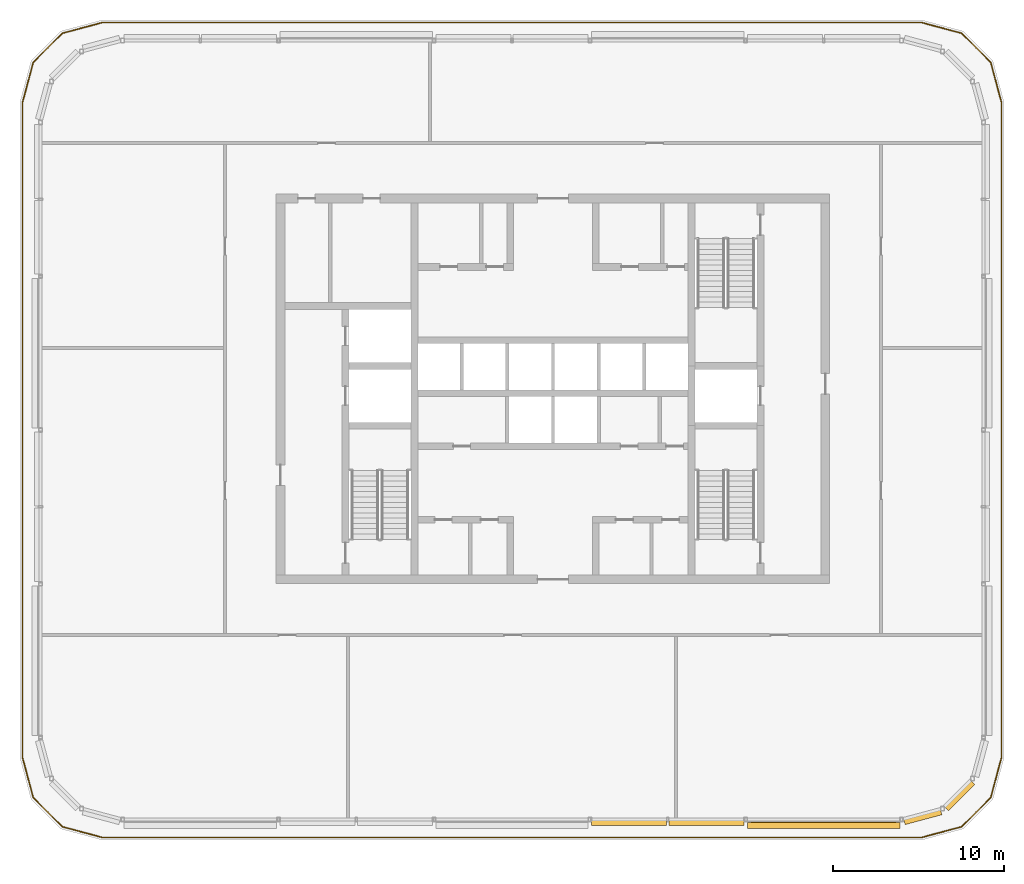
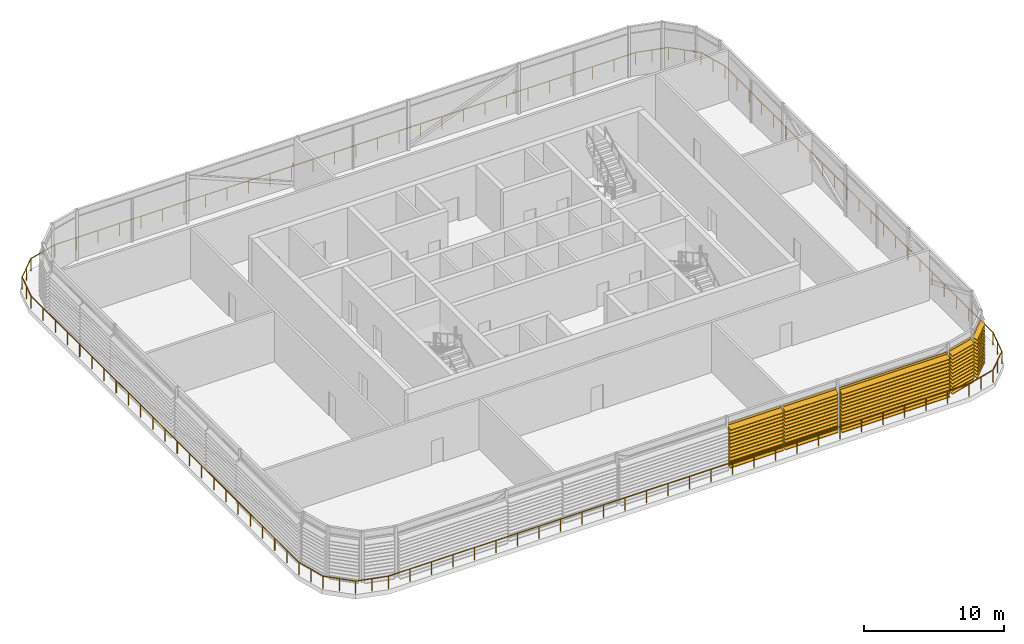
# One storey, part 26 of 29: 5 shading devices, 2 railings.
"""IFC4 building model written with IfcOpenShell, lengths in metres."""

import ifcopenshell
import ifcopenshell.guid

model = None  # the IFC model being written
_history = None  # IfcOwnerHistory: only IFC2X3 demands one
_inside = {}  # id of a spatial element -> (the spatial element, [elements in it])
_under = {}  # id of a project, library or spatial element -> (it, [spatial elements below it])
_declared = {}  # id of a project -> (the project, [libraries it declares])
_typed = {}  # id of a type object -> (the type object, [elements of that type])
_made_of = {}  # id of a material, layer set ... -> (it, [elements and type objects made of it])


def new_model(schema):
    """Start an empty IFC model of exactly this schema.

    Asked for "IFC4X3", IfcOpenShell would pick the latest addendum, in which some entities
    have other attributes; the version numbers below select the first issue.
    IFC2X3 requires an IfcOwnerHistory on every rooted entity: one is made here for all.
    """
    global model, _history
    if schema == "IFC4X3":
        model = ifcopenshell.file(schema_version=(4, 3, 0, 0))
    else:
        model = ifcopenshell.file(schema=schema)
    _inside.clear()
    _under.clear()
    _declared.clear()
    _typed.clear()
    _made_of.clear()
    _history = None
    if model.schema == "IFC2X3":
        org = make("IfcOrganization", Name="unknown")
        user = make(
            "IfcPersonAndOrganization",
            ThePerson=make("IfcPerson", FamilyName="unknown"),
            TheOrganization=org,
        )
        app = make(
            "IfcApplication",
            ApplicationDeveloper=org,
            Version="unknown",
            ApplicationFullName="unknown",
            ApplicationIdentifier="unknown",
        )
        _history = make(
            "IfcOwnerHistory",
            OwningUser=user,
            OwningApplication=app,
            ChangeAction="ADDED",
            CreationDate=0,
        )
    return model


def make(cls, **values):
    """One entity of the class cls with the attributes given. An attribute that is None is left unset."""
    return model.create_entity(
        cls, **{name: value for name, value in values.items() if value is not None}
    )


def rooted(cls, **values):
    """An entity with a GlobalId (a new one), such as an element, a storey or a relation."""
    return make(cls, GlobalId=ifcopenshell.guid.new(), OwnerHistory=_history, **values)


def si_unit(unit_type, name, prefix=None):
    """IfcSIUnit, for example si_unit("LENGTHUNIT", "METRE", prefix="MILLI")."""
    return make("IfcSIUnit", UnitType=unit_type, Prefix=prefix, Name=name)


def assignment(units):
    """IfcUnitAssignment: the units of a project."""
    return None if units is None else make("IfcUnitAssignment", Units=units)


def point(xyz):
    """IfcCartesianPoint."""
    return None if xyz is None else make("IfcCartesianPoint", Coordinates=xyz)


def direction(xyz):
    """IfcDirection."""
    return None if xyz is None else make("IfcDirection", DirectionRatios=xyz)


def frame(location, z_axis=None, x_axis=None):
    """IfcAxis2Placement3D, a coordinate frame: its origin and axes. An axis left out is left unset."""
    return make(
        "IfcAxis2Placement3D",
        Location=point(location),
        Axis=direction(z_axis),
        RefDirection=direction(x_axis),
    )


def frame_2d(location, x_axis=None):
    """IfcAxis2Placement2D, a coordinate frame in the plane: its origin and x axis."""
    return make(
        "IfcAxis2Placement2D", Location=point(location), RefDirection=direction(x_axis)
    )


def origin():
    """The frame at (0, 0, 0) with its axes left unset."""
    return frame((0.0, 0.0, 0.0))


def origin_2d():
    """The frame at (0, 0) in the plane with its x axis left unset."""
    return frame_2d((0.0, 0.0))


def place(relative_to, where):
    """IfcLocalPlacement: puts the frame where relative to a parent placement (None: the world)."""
    return make(
        "IfcLocalPlacement", PlacementRelTo=relative_to, RelativePlacement=where
    )


def context(
    kind, dimensions, precision=None, world=None, true_north=None, identifier=None
):
    """IfcGeometricRepresentationContext, for example the 3D "Model" context."""
    return make(
        "IfcGeometricRepresentationContext",
        ContextIdentifier=identifier,
        ContextType=kind,
        CoordinateSpaceDimension=dimensions,
        Precision=precision,
        WorldCoordinateSystem=world,
        TrueNorth=true_north,
    )


def subcontext(parent, identifier, kind, view, scale=None):
    """IfcGeometricRepresentationSubContext, for example "Body" below "Model"."""
    return make(
        "IfcGeometricRepresentationSubContext",
        ContextIdentifier=identifier,
        ContextType=kind,
        ParentContext=parent,
        TargetScale=scale,
        TargetView=view,
    )


def project(units=None, contexts=None):
    """IfcProject with its units and contexts."""
    return rooted(
        "IfcProject",
        Name="project",
        RepresentationContexts=contexts,
        UnitsInContext=assignment(units),
    )


def spatial(cls, under=None, at=None, **own):
    """A site, building, storey or space (cls), placed at a placement, below another one or the project."""
    s = rooted(cls, ObjectPlacement=at, **own)
    if under is not None:
        _under.setdefault(under.id(), (under, []))[1].append(s)
    return s


def polyline(points):
    """IfcPolyline through the points."""
    return make("IfcPolyline", Points=[point(p) for p in points])


def profile(cls, at=None, kind="AREA", **sizes):
    """A parametric profile (cls). Its sizes go by their IFC names, for example OverallWidth=200.0."""
    return make(cls, ProfileType=kind, Position=at, **sizes)


def circle(**sizes):
    """IfcCircleProfileDef."""
    return profile("IfcCircleProfileDef", **sizes)


def outline(outer, holes=None, kind="AREA"):
    """IfcArbitraryClosedProfileDef: a profile drawn as a closed curve; with holes, ...WithVoids."""
    if holes is None:
        return make("IfcArbitraryClosedProfileDef", ProfileType=kind, OuterCurve=outer)
    return make(
        "IfcArbitraryProfileDefWithVoids",
        ProfileType=kind,
        OuterCurve=outer,
        InnerCurves=holes,
    )


def extrude(swept, where, along, depth):
    """IfcExtrudedAreaSolid: the profile swept, set in the frame where, extruded along a direction by depth."""
    return make(
        "IfcExtrudedAreaSolid",
        SweptArea=swept,
        Position=where,
        ExtrudedDirection=direction(along),
        Depth=depth,
    )


def shape(context_of_items, identifier, shape_type, items):
    """IfcShapeRepresentation: the items that make up one representation, for example the "Body"."""
    return make(
        "IfcShapeRepresentation",
        ContextOfItems=context_of_items,
        RepresentationIdentifier=identifier,
        RepresentationType=shape_type,
        Items=items,
    )


def material(Name=None, Category=None):
    """IfcMaterial."""
    return make("IfcMaterial", Name=Name, Category=Category)


def made_of(thing, what):
    """Note that an element or type object is made of a material, layer set ...; save() writes the relation."""
    if what is not None:
        _made_of.setdefault(what.id(), (what, []))[1].append(thing)
    return thing


def type_object(cls, material=None, **own):
    """A type object (cls), such as IfcWallType, which elements share."""
    return made_of(rooted(cls, **own), material)


def element(
    cls,
    number,
    at=None,
    inside=None,
    cuts=None,
    type_object=None,
    material=None,
    context=None,
    identifier="Body",
    shape_type=None,
    held_by="IfcProductDefinitionShape",
    body=None,
    shapes=None,
    **own,
):
    """One element of the class cls, such as IfcWall. Its Tag is "e" and its number.

    at: its placement. inside: the storey or other place that contains it. cuts: it is an
    opening in that element (IfcRelVoidsElement). A single representation is given by context,
    identifier, shape_type and body (its items); several are given by shapes. held_by: the class
    of the entity that holds the representations. save() writes the other relations.
    """
    e = rooted(cls, Tag="e%d" % number, ObjectPlacement=at, **own)
    if body is not None:
        shapes = [shape(context, identifier, shape_type, body)]
    if shapes is not None:
        e.Representation = make(held_by, Representations=shapes)
    if inside is not None:
        _inside.setdefault(inside.id(), (inside, []))[1].append(e)
    if cuts is not None:
        rooted(
            "IfcRelVoidsElement", RelatingBuildingElement=cuts, RelatedOpeningElement=e
        )
    if type_object is not None:
        _typed.setdefault(type_object.id(), (type_object, []))[1].append(e)
    return made_of(e, material)


def aggregate(whole, parts):
    """IfcRelAggregates: a whole, such as a stair, and the parts it consists of."""
    return rooted("IfcRelAggregates", RelatingObject=whole, RelatedObjects=parts)


def save(model, path):
    """Write the relations noted so far, then the file.

    IfcRelAggregates (storeys below a building ...), IfcRelContainedInSpatialStructure (elements
    in a storey), IfcRelDefinesByType, IfcRelAssociatesMaterial and IfcRelDeclares: one each for
    every whole, place, type object, material and project.
    """
    for whole, parts in _under.values():
        aggregate(whole, parts)
    for where, things in _inside.values():
        rooted(
            "IfcRelContainedInSpatialStructure",
            RelatedElements=things,
            RelatingStructure=where,
        )
    for kind, things in _typed.values():
        rooted("IfcRelDefinesByType", RelatedObjects=things, RelatingType=kind)
    for what, things in _made_of.values():
        rooted("IfcRelAssociatesMaterial", RelatedObjects=things, RelatingMaterial=what)
    for by, libraries in _declared.values():
        rooted("IfcRelDeclares", RelatingContext=by, RelatedDefinitions=libraries)
    model.write(path)


model = new_model("IFC4")

# Units and contexts
model_context = context("Model", 3, precision=1e-05, world=origin(), true_north=direction((0.0, 1.0)))
body_context = subcontext(model_context, "Body", "Model", "MODEL_VIEW")
ifc_project = project(units=[si_unit("LENGTHUNIT", "METRE"), si_unit("AREAUNIT", "SQUARE_METRE"), si_unit("VOLUMEUNIT", "CUBIC_METRE"), si_unit("PLANEANGLEUNIT", "RADIAN"), si_unit("MASSUNIT", "GRAM", prefix="KILO")], contexts=[model_context])

# Site, building, storey
site_placement = place(None, origin())
site = spatial("IfcSite", under=ifc_project, at=site_placement, CompositionType="ELEMENT")
building_placement = place(site_placement, origin())
building = spatial("IfcBuilding", under=site, at=building_placement, Name="Madar Terraces", CompositionType="ELEMENT")
storey_placement = place(building_placement, frame((0.0, 0.0, 296.300048828125)))
storey = spatial("IfcBuildingStorey", under=building, at=storey_placement, Name="L77", CompositionType="ELEMENT", Elevation=296.300048828125)

# Railings
ifc_material_1 = material(Name="Glass, safety glazing, with stainless steel posts", Category="steel")
railing_type = type_object("IfcRailingType", Name="Balcony glass guard 1100", PredefinedType="GUARDRAIL", material=ifc_material_1)
railing_1_placement = place(storey_placement, frame((52.7802734375, 0.14990234375, 0.0)))
element("IfcRailing", 1, at=railing_1_placement, inside=storey, type_object=railing_type, Name="Crown edge guard", PredefinedType="GUARDRAIL", context=body_context, shape_type="SweptSolid", body=[
    extrude(circle(Radius=0.02392578125, at=origin_2d()), frame((0.0, 0.0, 1.076171875), z_axis=(-1.0, 0.0, 0.0), x_axis=(0.0, -1.0, 0.0)), (0.0, 0.0, 1.0), 47.960693359375),
    extrude(circle(Radius=0.02392578125, at=origin_2d()), frame((-47.960693359375, 0.0, 1.076171875), z_axis=(-0.965911642838, 0.258871972661, 0.0), x_axis=(-0.258871972661, -0.965911642838, 0.0)), (0.0, 0.0, 1.0), 2.4248046875),
    extrude(circle(Radius=0.02392578125, at=origin_2d()), frame((-50.302734375, 0.627685546875, 1.076171875), z_axis=(-0.707106781187, 0.707106781187, 0.0), x_axis=(-0.707106781187, -0.707106781187, 0.0)), (0.0, 0.0, 1.0), 2.404052734375),
    extrude(circle(Radius=0.02392578125, at=origin_2d()), frame((-52.002685546875, 2.32763671875, 1.076171875), z_axis=(-0.258871972661, 0.965911642838, 0.0), x_axis=(-0.965911642838, -0.258871972661, 0.0)), (0.0, 0.0, 1.0), 2.4248046875),
    extrude(circle(Radius=0.02392578125, at=origin_2d()), frame((-52.63037109375, 4.669677734375, 1.076171875), z_axis=(0.0, 1.0, 0.0), x_axis=(-1.0, 0.0, 0.0)), (0.0, 0.0, 1.0), 38.36083984375),
    extrude(circle(Radius=0.02392578125, at=origin_2d()), frame((-52.63037109375, 43.030517578125, 1.076171875), z_axis=(0.258871972661, 0.965911642838, 0.0), x_axis=(-0.965911642838, 0.258871972661, 0.0)), (0.0, 0.0, 1.0), 2.4248046875),
    extrude(circle(Radius=0.02392578125, at=origin_2d()), frame((-52.002685546875, 45.37255859375, 1.076171875), z_axis=(0.707106781187, 0.707106781187, 0.0), x_axis=(-0.707106781187, 0.707106781187, 0.0)), (0.0, 0.0, 1.0), 2.404052734375),
    extrude(circle(Radius=0.02392578125, at=origin_2d()), frame((-50.302734375, 47.072509765625, 1.076171875), z_axis=(0.965911642838, 0.258871972661, 0.0), x_axis=(-0.258871972661, 0.965911642838, 0.0)), (0.0, 0.0, 1.0), 2.4248046875),
    extrude(circle(Radius=0.02099609375, at=origin_2d()), origin(), (0.0, 0.0, 1.0), 1.052001953125),
    extrude(circle(Radius=0.02099609375, at=origin_2d()), frame((-1.7763671875, 0.0, 0.0)), (0.0, 0.0, 1.0), 1.052001953125),
    extrude(circle(Radius=0.02099609375, at=origin_2d()), frame((-3.552734375, 0.0, 0.0)), (0.0, 0.0, 1.0), 1.052001953125),
    extrude(circle(Radius=0.02099609375, at=origin_2d()), frame((-5.328857421875, 0.0, 0.0)), (0.0, 0.0, 1.0), 1.052001953125),
    extrude(circle(Radius=0.02099609375, at=origin_2d()), frame((-7.105224609375, 0.0, 0.0)), (0.0, 0.0, 1.0), 1.052001953125),
    extrude(circle(Radius=0.02099609375, at=origin_2d()), frame((-8.881591796875, 0.0, 0.0)), (0.0, 0.0, 1.0), 1.052001953125),
    extrude(circle(Radius=0.02099609375, at=origin_2d()), frame((-10.657958984375, 0.0, 0.0)), (0.0, 0.0, 1.0), 1.052001953125),
    extrude(circle(Radius=0.02099609375, at=origin_2d()), frame((-12.434326171875, 0.0, 0.0)), (0.0, 0.0, 1.0), 1.052001953125),
    extrude(circle(Radius=0.02099609375, at=origin_2d()), frame((-14.210693359375, 0.0, 0.0)), (0.0, 0.0, 1.0), 1.052001953125),
    extrude(circle(Radius=0.02099609375, at=origin_2d()), frame((-15.98681640625, 0.0, 0.0)), (0.0, 0.0, 1.0), 1.052001953125),
    extrude(circle(Radius=0.02099609375, at=origin_2d()), frame((-17.76318359375, 0.0, 0.0)), (0.0, 0.0, 1.0), 1.052001953125),
    extrude(circle(Radius=0.02099609375, at=origin_2d()), frame((-19.53955078125, 0.0, 0.0)), (0.0, 0.0, 1.0), 1.052001953125),
    extrude(circle(Radius=0.02099609375, at=origin_2d()), frame((-21.31591796875, 0.0, 0.0)), (0.0, 0.0, 1.0), 1.052001953125),
    extrude(circle(Radius=0.02099609375, at=origin_2d()), frame((-23.09228515625, 0.0, 0.0)), (0.0, 0.0, 1.0), 1.052001953125),
    extrude(circle(Radius=0.02099609375, at=origin_2d()), frame((-24.868408203125, 0.0, 0.0)), (0.0, 0.0, 1.0), 1.052001953125),
    extrude(circle(Radius=0.02099609375, at=origin_2d()), frame((-26.644775390625, 0.0, 0.0)), (0.0, 0.0, 1.0), 1.052001953125),
    extrude(circle(Radius=0.02099609375, at=origin_2d()), frame((-28.421142578125, 0.0, 0.0)), (0.0, 0.0, 1.0), 1.052001953125),
    extrude(circle(Radius=0.02099609375, at=origin_2d()), frame((-30.197509765625, 0.0, 0.0)), (0.0, 0.0, 1.0), 1.052001953125),
    extrude(circle(Radius=0.02099609375, at=origin_2d()), frame((-31.973876953125, 0.0, 0.0)), (0.0, 0.0, 1.0), 1.052001953125),
    extrude(circle(Radius=0.02099609375, at=origin_2d()), frame((-33.75, 0.0, 0.0)), (0.0, 0.0, 1.0), 1.052001953125),
    extrude(circle(Radius=0.02099609375, at=origin_2d()), frame((-35.5263671875, 0.0, 0.0)), (0.0, 0.0, 1.0), 1.052001953125),
    extrude(circle(Radius=0.02099609375, at=origin_2d()), frame((-37.302734375, 0.0, 0.0)), (0.0, 0.0, 1.0), 1.052001953125),
    extrude(circle(Radius=0.02099609375, at=origin_2d()), frame((-39.0791015625, 0.0, 0.0)), (0.0, 0.0, 1.0), 1.052001953125),
    extrude(circle(Radius=0.02099609375, at=origin_2d()), frame((-40.85546875, 0.0, 0.0)), (0.0, 0.0, 1.0), 1.052001953125),
    extrude(circle(Radius=0.02099609375, at=origin_2d()), frame((-42.6318359375, 0.0, 0.0)), (0.0, 0.0, 1.0), 1.052001953125),
    extrude(circle(Radius=0.02099609375, at=origin_2d()), frame((-44.407958984375, 0.0, 0.0)), (0.0, 0.0, 1.0), 1.052001953125),
    extrude(circle(Radius=0.02099609375, at=origin_2d()), frame((-46.184326171875, 0.0, 0.0)), (0.0, 0.0, 1.0), 1.052001953125),
    extrude(circle(Radius=0.02099609375, at=origin_2d()), frame((-47.960693359375, 0.0, 0.0)), (0.0, 0.0, 1.0), 1.052001953125),
    extrude(circle(Radius=0.02099609375, at=origin_2d()), frame((-49.1318359375, 0.31396484375, 0.0)), (0.0, 0.0, 1.0), 1.052001953125),
    extrude(circle(Radius=0.02099609375, at=origin_2d()), frame((-50.302734375, 0.627685546875, 0.0)), (0.0, 0.0, 1.0), 1.052001953125),
    extrude(circle(Radius=0.02099609375, at=origin_2d()), frame((-51.15283203125, 1.4775390625, 0.0)), (0.0, 0.0, 1.0), 1.052001953125),
    extrude(circle(Radius=0.02099609375, at=origin_2d()), frame((-52.002685546875, 2.32763671875, 0.0)), (0.0, 0.0, 1.0), 1.052001953125),
    extrude(circle(Radius=0.02099609375, at=origin_2d()), frame((-52.31640625, 3.49853515625, 0.0)), (0.0, 0.0, 1.0), 1.052001953125),
    extrude(circle(Radius=0.02099609375, at=origin_2d()), frame((-52.63037109375, 4.669677734375, 0.0)), (0.0, 0.0, 1.0), 1.052001953125),
    extrude(circle(Radius=0.02099609375, at=origin_2d()), frame((-52.63037109375, 6.413330078125, 0.0)), (0.0, 0.0, 1.0), 1.052001953125),
    extrude(circle(Radius=0.02099609375, at=origin_2d()), frame((-52.63037109375, 8.156982421875, 0.0)), (0.0, 0.0, 1.0), 1.052001953125),
    extrude(circle(Radius=0.02099609375, at=origin_2d()), frame((-52.63037109375, 9.900634765625, 0.0)), (0.0, 0.0, 1.0), 1.052001953125),
    extrude(circle(Radius=0.02099609375, at=origin_2d()), frame((-52.63037109375, 11.644287109375, 0.0)), (0.0, 0.0, 1.0), 1.052001953125),
    extrude(circle(Radius=0.02099609375, at=origin_2d()), frame((-52.63037109375, 13.387939453125, 0.0)), (0.0, 0.0, 1.0), 1.052001953125),
    extrude(circle(Radius=0.02099609375, at=origin_2d()), frame((-52.63037109375, 15.1318359375, 0.0)), (0.0, 0.0, 1.0), 1.052001953125),
    extrude(circle(Radius=0.02099609375, at=origin_2d()), frame((-52.63037109375, 16.87548828125, 0.0)), (0.0, 0.0, 1.0), 1.052001953125),
    extrude(circle(Radius=0.02099609375, at=origin_2d()), frame((-52.63037109375, 18.619140625, 0.0)), (0.0, 0.0, 1.0), 1.052001953125),
    extrude(circle(Radius=0.02099609375, at=origin_2d()), frame((-52.63037109375, 20.36279296875, 0.0)), (0.0, 0.0, 1.0), 1.052001953125),
    extrude(circle(Radius=0.02099609375, at=origin_2d()), frame((-52.63037109375, 22.1064453125, 0.0)), (0.0, 0.0, 1.0), 1.052001953125),
    extrude(circle(Radius=0.02099609375, at=origin_2d()), frame((-52.63037109375, 23.85009765625, 0.0)), (0.0, 0.0, 1.0), 1.052001953125),
    extrude(circle(Radius=0.02099609375, at=origin_2d()), frame((-52.63037109375, 25.59375, 0.0)), (0.0, 0.0, 1.0), 1.052001953125),
    extrude(circle(Radius=0.02099609375, at=origin_2d()), frame((-52.63037109375, 27.33740234375, 0.0)), (0.0, 0.0, 1.0), 1.052001953125),
    extrude(circle(Radius=0.02099609375, at=origin_2d()), frame((-52.63037109375, 29.0810546875, 0.0)), (0.0, 0.0, 1.0), 1.052001953125),
    extrude(circle(Radius=0.02099609375, at=origin_2d()), frame((-52.63037109375, 30.82470703125, 0.0)), (0.0, 0.0, 1.0), 1.052001953125),
    extrude(circle(Radius=0.02099609375, at=origin_2d()), frame((-52.63037109375, 32.568359375, 0.0)), (0.0, 0.0, 1.0), 1.052001953125),
    extrude(circle(Radius=0.02099609375, at=origin_2d()), frame((-52.63037109375, 34.312255859375, 0.0)), (0.0, 0.0, 1.0), 1.052001953125),
    extrude(circle(Radius=0.02099609375, at=origin_2d()), frame((-52.63037109375, 36.055908203125, 0.0)), (0.0, 0.0, 1.0), 1.052001953125),
    extrude(circle(Radius=0.02099609375, at=origin_2d()), frame((-52.63037109375, 37.799560546875, 0.0)), (0.0, 0.0, 1.0), 1.052001953125),
    extrude(circle(Radius=0.02099609375, at=origin_2d()), frame((-52.63037109375, 39.543212890625, 0.0)), (0.0, 0.0, 1.0), 1.052001953125),
    extrude(circle(Radius=0.02099609375, at=origin_2d()), frame((-52.63037109375, 41.286865234375, 0.0)), (0.0, 0.0, 1.0), 1.052001953125),
    extrude(circle(Radius=0.02099609375, at=origin_2d()), frame((-52.63037109375, 43.030517578125, 0.0)), (0.0, 0.0, 1.0), 1.052001953125),
    extrude(circle(Radius=0.02099609375, at=origin_2d()), frame((-52.31640625, 44.20166015625, 0.0)), (0.0, 0.0, 1.0), 1.052001953125),
    extrude(circle(Radius=0.02099609375, at=origin_2d()), frame((-52.002685546875, 45.37255859375, 0.0)), (0.0, 0.0, 1.0), 1.052001953125),
    extrude(circle(Radius=0.02099609375, at=origin_2d()), frame((-51.15283203125, 46.22265625, 0.0)), (0.0, 0.0, 1.0), 1.052001953125),
    extrude(circle(Radius=0.02099609375, at=origin_2d()), frame((-50.302734375, 47.072509765625, 0.0)), (0.0, 0.0, 1.0), 1.052001953125),
    extrude(circle(Radius=0.02099609375, at=origin_2d()), frame((-49.1318359375, 47.38623046875, 0.0)), (0.0, 0.0, 1.0), 1.052001953125),
    extrude(circle(Radius=0.02099609375, at=origin_2d()), frame((-47.960693359375, 47.7001953125, 0.0)), (0.0, 0.0, 1.0), 1.052001953125),
])
railing_2_placement = place(storey_placement, frame((4.819580078125, 47.85009765625, 0.0)))
element("IfcRailing", 2, at=railing_2_placement, inside=storey, type_object=railing_type, Name="Crown edge guard", PredefinedType="GUARDRAIL", context=body_context, shape_type="SweptSolid", body=[
    extrude(circle(Radius=0.02392578125, at=origin_2d()), frame((0.0, 0.0, 1.076171875), z_axis=(1.0, 0.0, 0.0), x_axis=(0.0, 1.0, 0.0)), (0.0, 0.0, 1.0), 47.960693359375),
    extrude(circle(Radius=0.02392578125, at=origin_2d()), frame((47.960693359375, 0.0, 1.076171875), z_axis=(0.965911642838, -0.258871972661, 0.0), x_axis=(0.258871972661, 0.965911642838, 0.0)), (0.0, 0.0, 1.0), 2.4248046875),
    extrude(circle(Radius=0.02392578125, at=origin_2d()), frame((50.302734375, -0.627685546875, 1.076171875), z_axis=(0.707157551732, -0.707056006995, 0.0), x_axis=(0.707056006995, 0.707157551732, 0.0)), (0.0, 0.0, 1.0), 2.404296875),
    extrude(circle(Radius=0.02392578125, at=origin_2d()), frame((52.0029296875, -2.32763671875, 1.076171875), z_axis=(0.25877802743, -0.965936816008, 0.0), x_axis=(0.965936816008, 0.25877802743, 0.0)), (0.0, 0.0, 1.0), 2.424560546875),
    extrude(circle(Radius=0.02392578125, at=origin_2d()), frame((52.63037109375, -4.669677734375, 1.076171875), z_axis=(0.0, -1.0, 0.0), x_axis=(1.0, 0.0, 0.0)), (0.0, 0.0, 1.0), 38.36083984375),
    extrude(circle(Radius=0.02392578125, at=origin_2d()), frame((52.63037109375, -43.030517578125, 1.076171875), z_axis=(-0.25877802743, -0.965936816008, 0.0), x_axis=(0.965936816008, -0.25877802743, 0.0)), (0.0, 0.0, 1.0), 2.424560546875),
    extrude(circle(Radius=0.02392578125, at=origin_2d()), frame((52.0029296875, -45.37255859375, 1.076171875), z_axis=(-0.707157551732, -0.707056006995, 0.0), x_axis=(0.707056006995, -0.707157551732, 0.0)), (0.0, 0.0, 1.0), 2.404296875),
    extrude(circle(Radius=0.02392578125, at=origin_2d()), frame((50.302734375, -47.072509765625, 1.076171875), z_axis=(-0.965911642838, -0.258871972661, 0.0), x_axis=(0.258871972661, -0.965911642838, 0.0)), (0.0, 0.0, 1.0), 2.4248046875),
    extrude(circle(Radius=0.02099609375, at=origin_2d()), origin(), (0.0, 0.0, 1.0), 1.052001953125),
    extrude(circle(Radius=0.02099609375, at=origin_2d()), frame((1.7763671875, 0.0, 0.0)), (0.0, 0.0, 1.0), 1.052001953125),
    extrude(circle(Radius=0.02099609375, at=origin_2d()), frame((3.552734375, 0.0, 0.0)), (0.0, 0.0, 1.0), 1.052001953125),
    extrude(circle(Radius=0.02099609375, at=origin_2d()), frame((5.328857421875, 0.0, 0.0)), (0.0, 0.0, 1.0), 1.052001953125),
    extrude(circle(Radius=0.02099609375, at=origin_2d()), frame((7.105224609375, 0.0, 0.0)), (0.0, 0.0, 1.0), 1.052001953125),
    extrude(circle(Radius=0.02099609375, at=origin_2d()), frame((8.881591796875, 0.0, 0.0)), (0.0, 0.0, 1.0), 1.052001953125),
    extrude(circle(Radius=0.02099609375, at=origin_2d()), frame((10.657958984375, 0.0, 0.0)), (0.0, 0.0, 1.0), 1.052001953125),
    extrude(circle(Radius=0.02099609375, at=origin_2d()), frame((12.434326171875, 0.0, 0.0)), (0.0, 0.0, 1.0), 1.052001953125),
    extrude(circle(Radius=0.02099609375, at=origin_2d()), frame((14.210693359375, 0.0, 0.0)), (0.0, 0.0, 1.0), 1.052001953125),
    extrude(circle(Radius=0.02099609375, at=origin_2d()), frame((15.98681640625, 0.0, 0.0)), (0.0, 0.0, 1.0), 1.052001953125),
    extrude(circle(Radius=0.02099609375, at=origin_2d()), frame((17.76318359375, 0.0, 0.0)), (0.0, 0.0, 1.0), 1.052001953125),
    extrude(circle(Radius=0.02099609375, at=origin_2d()), frame((19.53955078125, 0.0, 0.0)), (0.0, 0.0, 1.0), 1.052001953125),
    extrude(circle(Radius=0.02099609375, at=origin_2d()), frame((21.31591796875, 0.0, 0.0)), (0.0, 0.0, 1.0), 1.052001953125),
    extrude(circle(Radius=0.02099609375, at=origin_2d()), frame((23.09228515625, 0.0, 0.0)), (0.0, 0.0, 1.0), 1.052001953125),
    extrude(circle(Radius=0.02099609375, at=origin_2d()), frame((24.868408203125, 0.0, 0.0)), (0.0, 0.0, 1.0), 1.052001953125),
    extrude(circle(Radius=0.02099609375, at=origin_2d()), frame((26.644775390625, 0.0, 0.0)), (0.0, 0.0, 1.0), 1.052001953125),
    extrude(circle(Radius=0.02099609375, at=origin_2d()), frame((28.421142578125, 0.0, 0.0)), (0.0, 0.0, 1.0), 1.052001953125),
    extrude(circle(Radius=0.02099609375, at=origin_2d()), frame((30.197509765625, 0.0, 0.0)), (0.0, 0.0, 1.0), 1.052001953125),
    extrude(circle(Radius=0.02099609375, at=origin_2d()), frame((31.973876953125, 0.0, 0.0)), (0.0, 0.0, 1.0), 1.052001953125),
    extrude(circle(Radius=0.02099609375, at=origin_2d()), frame((33.75, 0.0, 0.0)), (0.0, 0.0, 1.0), 1.052001953125),
    extrude(circle(Radius=0.02099609375, at=origin_2d()), frame((35.5263671875, 0.0, 0.0)), (0.0, 0.0, 1.0), 1.052001953125),
    extrude(circle(Radius=0.02099609375, at=origin_2d()), frame((37.302734375, 0.0, 0.0)), (0.0, 0.0, 1.0), 1.052001953125),
    extrude(circle(Radius=0.02099609375, at=origin_2d()), frame((39.0791015625, 0.0, 0.0)), (0.0, 0.0, 1.0), 1.052001953125),
    extrude(circle(Radius=0.02099609375, at=origin_2d()), frame((40.85546875, 0.0, 0.0)), (0.0, 0.0, 1.0), 1.052001953125),
    extrude(circle(Radius=0.02099609375, at=origin_2d()), frame((42.6318359375, 0.0, 0.0)), (0.0, 0.0, 1.0), 1.052001953125),
    extrude(circle(Radius=0.02099609375, at=origin_2d()), frame((44.407958984375, 0.0, 0.0)), (0.0, 0.0, 1.0), 1.052001953125),
    extrude(circle(Radius=0.02099609375, at=origin_2d()), frame((46.184326171875, 0.0, 0.0)), (0.0, 0.0, 1.0), 1.052001953125),
    extrude(circle(Radius=0.02099609375, at=origin_2d()), frame((47.960693359375, 0.0, 0.0)), (0.0, 0.0, 1.0), 1.052001953125),
    extrude(circle(Radius=0.02099609375, at=origin_2d()), frame((49.1318359375, -0.31396484375, 0.0)), (0.0, 0.0, 1.0), 1.052001953125),
    extrude(circle(Radius=0.02099609375, at=origin_2d()), frame((50.302734375, -0.627685546875, 0.0)), (0.0, 0.0, 1.0), 1.052001953125),
    extrude(circle(Radius=0.02099609375, at=origin_2d()), frame((51.15283203125, -1.4775390625, 0.0)), (0.0, 0.0, 1.0), 1.052001953125),
    extrude(circle(Radius=0.02099609375, at=origin_2d()), frame((52.0029296875, -2.32763671875, 0.0)), (0.0, 0.0, 1.0), 1.052001953125),
    extrude(circle(Radius=0.02099609375, at=origin_2d()), frame((52.316650390625, -3.49853515625, 0.0)), (0.0, 0.0, 1.0), 1.052001953125),
    extrude(circle(Radius=0.02099609375, at=origin_2d()), frame((52.63037109375, -4.669677734375, 0.0)), (0.0, 0.0, 1.0), 1.052001953125),
    extrude(circle(Radius=0.02099609375, at=origin_2d()), frame((52.63037109375, -6.413330078125, 0.0)), (0.0, 0.0, 1.0), 1.052001953125),
    extrude(circle(Radius=0.02099609375, at=origin_2d()), frame((52.63037109375, -8.156982421875, 0.0)), (0.0, 0.0, 1.0), 1.052001953125),
    extrude(circle(Radius=0.02099609375, at=origin_2d()), frame((52.63037109375, -9.900634765625, 0.0)), (0.0, 0.0, 1.0), 1.052001953125),
    extrude(circle(Radius=0.02099609375, at=origin_2d()), frame((52.63037109375, -11.644287109375, 0.0)), (0.0, 0.0, 1.0), 1.052001953125),
    extrude(circle(Radius=0.02099609375, at=origin_2d()), frame((52.63037109375, -13.387939453125, 0.0)), (0.0, 0.0, 1.0), 1.052001953125),
    extrude(circle(Radius=0.02099609375, at=origin_2d()), frame((52.63037109375, -15.1318359375, 0.0)), (0.0, 0.0, 1.0), 1.052001953125),
    extrude(circle(Radius=0.02099609375, at=origin_2d()), frame((52.63037109375, -16.87548828125, 0.0)), (0.0, 0.0, 1.0), 1.052001953125),
    extrude(circle(Radius=0.02099609375, at=origin_2d()), frame((52.63037109375, -18.619140625, 0.0)), (0.0, 0.0, 1.0), 1.052001953125),
    extrude(circle(Radius=0.02099609375, at=origin_2d()), frame((52.63037109375, -20.36279296875, 0.0)), (0.0, 0.0, 1.0), 1.052001953125),
    extrude(circle(Radius=0.02099609375, at=origin_2d()), frame((52.63037109375, -22.1064453125, 0.0)), (0.0, 0.0, 1.0), 1.052001953125),
    extrude(circle(Radius=0.02099609375, at=origin_2d()), frame((52.63037109375, -23.85009765625, 0.0)), (0.0, 0.0, 1.0), 1.052001953125),
    extrude(circle(Radius=0.02099609375, at=origin_2d()), frame((52.63037109375, -25.59375, 0.0)), (0.0, 0.0, 1.0), 1.052001953125),
    extrude(circle(Radius=0.02099609375, at=origin_2d()), frame((52.63037109375, -27.33740234375, 0.0)), (0.0, 0.0, 1.0), 1.052001953125),
    extrude(circle(Radius=0.02099609375, at=origin_2d()), frame((52.63037109375, -29.0810546875, 0.0)), (0.0, 0.0, 1.0), 1.052001953125),
    extrude(circle(Radius=0.02099609375, at=origin_2d()), frame((52.63037109375, -30.82470703125, 0.0)), (0.0, 0.0, 1.0), 1.052001953125),
    extrude(circle(Radius=0.02099609375, at=origin_2d()), frame((52.63037109375, -32.568359375, 0.0)), (0.0, 0.0, 1.0), 1.052001953125),
    extrude(circle(Radius=0.02099609375, at=origin_2d()), frame((52.63037109375, -34.312255859375, 0.0)), (0.0, 0.0, 1.0), 1.052001953125),
    extrude(circle(Radius=0.02099609375, at=origin_2d()), frame((52.63037109375, -36.055908203125, 0.0)), (0.0, 0.0, 1.0), 1.052001953125),
    extrude(circle(Radius=0.02099609375, at=origin_2d()), frame((52.63037109375, -37.799560546875, 0.0)), (0.0, 0.0, 1.0), 1.052001953125),
    extrude(circle(Radius=0.02099609375, at=origin_2d()), frame((52.63037109375, -39.543212890625, 0.0)), (0.0, 0.0, 1.0), 1.052001953125),
    extrude(circle(Radius=0.02099609375, at=origin_2d()), frame((52.63037109375, -41.286865234375, 0.0)), (0.0, 0.0, 1.0), 1.052001953125),
    extrude(circle(Radius=0.02099609375, at=origin_2d()), frame((52.63037109375, -43.030517578125, 0.0)), (0.0, 0.0, 1.0), 1.052001953125),
    extrude(circle(Radius=0.02099609375, at=origin_2d()), frame((52.316650390625, -44.20166015625, 0.0)), (0.0, 0.0, 1.0), 1.052001953125),
    extrude(circle(Radius=0.02099609375, at=origin_2d()), frame((52.0029296875, -45.37255859375, 0.0)), (0.0, 0.0, 1.0), 1.052001953125),
    extrude(circle(Radius=0.02099609375, at=origin_2d()), frame((51.15283203125, -46.22265625, 0.0)), (0.0, 0.0, 1.0), 1.052001953125),
    extrude(circle(Radius=0.02099609375, at=origin_2d()), frame((50.302734375, -47.072509765625, 0.0)), (0.0, 0.0, 1.0), 1.052001953125),
    extrude(circle(Radius=0.02099609375, at=origin_2d()), frame((49.1318359375, -47.38623046875, 0.0)), (0.0, 0.0, 1.0), 1.052001953125),
    extrude(circle(Radius=0.02099609375, at=origin_2d()), frame((47.960693359375, -47.7001953125, 0.0)), (0.0, 0.0, 1.0), 1.052001953125),
])

# Shading devices
ifc_material_2 = material(Name="Aluminium, black anodised", Category="aluminium")
shading_device_type = type_object("IfcShadingDeviceType", Name="Crown louvre bank", PredefinedType="USERDEFINED", material=ifc_material_2)
shading_device_1_placement = place(storey_placement, frame((33.461669921875, 1.199951171875, 0.0), z_axis=(1.0, 0.0, 0.0), x_axis=(0.0, 1.0, 0.0)))
element("IfcShadingDevice", 3, at=shading_device_1_placement, inside=storey, type_object=shading_device_type, Name="LOUVRE bank L77 4.1", ObjectType="LOUVRE", PredefinedType="USERDEFINED", context=body_context, shape_type="SweptSolid", body=[
    extrude(outline(polyline([(0.014892578125, 0.0), (-0.014892578125, 0.0), (-0.014892578125, 0.24951171875), (-0.3427734375, 0.02001953125), (-0.3427734375, 0.06884765625), (-0.014892578125, 0.29833984375), (-0.014892578125, 0.54931640625), (-0.3427734375, 0.320068359375), (-0.3427734375, 0.368896484375), (-0.014892578125, 0.59814453125), (-0.014892578125, 0.849365234375), (-0.3427734375, 0.6201171875), (-0.3427734375, 0.6689453125), (-0.014892578125, 0.898193359375), (-0.014892578125, 1.1494140625), (-0.3427734375, 0.919921875), (-0.3427734375, 0.96875), (-0.014892578125, 1.1982421875), (-0.014892578125, 1.449462890625), (-0.3427734375, 1.219970703125), (-0.3427734375, 1.268798828125), (-0.014892578125, 1.498291015625), (-0.014892578125, 1.74951171875), (-0.3427734375, 1.52001953125), (-0.3427734375, 1.56884765625), (-0.014892578125, 1.79833984375), (-0.014892578125, 2.04931640625), (-0.3427734375, 1.820068359375), (-0.3427734375, 1.868896484375), (-0.014892578125, 2.09814453125), (-0.014892578125, 2.349365234375), (-0.3427734375, 2.1201171875), (-0.3427734375, 2.1689453125), (-0.014892578125, 2.398193359375), (-0.014892578125, 2.6494140625), (-0.3427734375, 2.419921875), (-0.3427734375, 2.46875), (-0.014892578125, 2.6982421875), (-0.014892578125, 2.949462890625), (-0.3427734375, 2.719970703125), (-0.3427734375, 2.768798828125), (-0.014892578125, 2.998291015625), (-0.014892578125, 3.24951171875), (-0.3427734375, 3.02001953125), (-0.3427734375, 3.06884765625), (-0.014892578125, 3.29833984375), (-0.014892578125, 3.54931640625), (-0.3427734375, 3.320068359375), (-0.3427734375, 3.368896484375), (-0.014892578125, 3.59814453125), (-0.014892578125, 3.798095703125), (0.014892578125, 3.798095703125), (0.014892578125, 0.0)])), origin(), (0.0, 0.0, 1.0), 4.394775390625),
])
shading_device_2_placement = place(storey_placement, frame((37.9833984375, 1.199951171875, 0.0), z_axis=(1.0, 0.0, 0.0), x_axis=(0.0, 1.0, 0.0)))
element("IfcShadingDevice", 4, at=shading_device_2_placement, inside=storey, type_object=shading_device_type, Name="LOUVRE bank L77 4.2", ObjectType="LOUVRE", PredefinedType="USERDEFINED", context=body_context, shape_type="SweptSolid", body=[
    extrude(outline(polyline([(0.014892578125, 0.0), (-0.014892578125, 0.0), (-0.014892578125, 0.24951171875), (-0.3427734375, 0.02001953125), (-0.3427734375, 0.06884765625), (-0.014892578125, 0.29833984375), (-0.014892578125, 0.54931640625), (-0.3427734375, 0.320068359375), (-0.3427734375, 0.368896484375), (-0.014892578125, 0.59814453125), (-0.014892578125, 0.849365234375), (-0.3427734375, 0.6201171875), (-0.3427734375, 0.6689453125), (-0.014892578125, 0.898193359375), (-0.014892578125, 1.1494140625), (-0.3427734375, 0.919921875), (-0.3427734375, 0.96875), (-0.014892578125, 1.1982421875), (-0.014892578125, 1.449462890625), (-0.3427734375, 1.219970703125), (-0.3427734375, 1.268798828125), (-0.014892578125, 1.498291015625), (-0.014892578125, 1.74951171875), (-0.3427734375, 1.52001953125), (-0.3427734375, 1.56884765625), (-0.014892578125, 1.79833984375), (-0.014892578125, 2.04931640625), (-0.3427734375, 1.820068359375), (-0.3427734375, 1.868896484375), (-0.014892578125, 2.09814453125), (-0.014892578125, 2.349365234375), (-0.3427734375, 2.1201171875), (-0.3427734375, 2.1689453125), (-0.014892578125, 2.398193359375), (-0.014892578125, 2.6494140625), (-0.3427734375, 2.419921875), (-0.3427734375, 2.46875), (-0.014892578125, 2.6982421875), (-0.014892578125, 2.949462890625), (-0.3427734375, 2.719970703125), (-0.3427734375, 2.768798828125), (-0.014892578125, 2.998291015625), (-0.014892578125, 3.24951171875), (-0.3427734375, 3.02001953125), (-0.3427734375, 3.06884765625), (-0.014892578125, 3.29833984375), (-0.014892578125, 3.54931640625), (-0.3427734375, 3.320068359375), (-0.3427734375, 3.368896484375), (-0.014892578125, 3.59814453125), (-0.014892578125, 3.798095703125), (0.014892578125, 3.798095703125), (0.014892578125, 0.0)])), origin(), (0.0, 0.0, 1.0), 4.39501953125),
])
shading_device_3_placement = place(storey_placement, frame((42.58154296875, 1.199951171875, 0.0), z_axis=(1.0, 0.0, 0.0), x_axis=(0.0, 1.0, 0.0)))
element("IfcShadingDevice", 5, at=shading_device_3_placement, inside=storey, type_object=shading_device_type, Name="LOUVRE bank L77 5.1", ObjectType="LOUVRE", PredefinedType="USERDEFINED", context=body_context, shape_type="SweptSolid", body=[
    extrude(outline(polyline([(-0.156982421875, 0.0), (-0.18701171875, 0.0), (-0.18701171875, 0.24951171875), (-0.5146484375, 0.02001953125), (-0.5146484375, 0.06884765625), (-0.18701171875, 0.29833984375), (-0.18701171875, 0.54931640625), (-0.5146484375, 0.320068359375), (-0.5146484375, 0.368896484375), (-0.18701171875, 0.59814453125), (-0.18701171875, 0.849365234375), (-0.5146484375, 0.6201171875), (-0.5146484375, 0.6689453125), (-0.18701171875, 0.898193359375), (-0.18701171875, 1.1494140625), (-0.5146484375, 0.919921875), (-0.5146484375, 0.96875), (-0.18701171875, 1.1982421875), (-0.18701171875, 1.449462890625), (-0.5146484375, 1.219970703125), (-0.5146484375, 1.268798828125), (-0.18701171875, 1.498291015625), (-0.18701171875, 1.74951171875), (-0.5146484375, 1.52001953125), (-0.5146484375, 1.56884765625), (-0.18701171875, 1.79833984375), (-0.18701171875, 2.04931640625), (-0.5146484375, 1.820068359375), (-0.5146484375, 1.868896484375), (-0.18701171875, 2.09814453125), (-0.18701171875, 2.349365234375), (-0.5146484375, 2.1201171875), (-0.5146484375, 2.1689453125), (-0.18701171875, 2.398193359375), (-0.18701171875, 2.6494140625), (-0.5146484375, 2.419921875), (-0.5146484375, 2.46875), (-0.18701171875, 2.6982421875), (-0.18701171875, 2.949462890625), (-0.5146484375, 2.719970703125), (-0.5146484375, 2.768798828125), (-0.18701171875, 2.998291015625), (-0.18701171875, 3.24951171875), (-0.5146484375, 3.02001953125), (-0.5146484375, 3.06884765625), (-0.18701171875, 3.29833984375), (-0.18701171875, 3.54931640625), (-0.5146484375, 3.320068359375), (-0.5146484375, 3.368896484375), (-0.18701171875, 3.59814453125), (-0.18701171875, 3.798095703125), (-0.156982421875, 3.798095703125), (-0.156982421875, 0.0)])), origin(), (0.0, 0.0, 1.0), 8.916748046875),
])
shading_device_4_placement = place(storey_placement, frame((51.7265625, 1.23388671875, 0.0), z_axis=(0.965935304808, 0.258783668197, 0.0), x_axis=(-0.258783668197, 0.965935304808, 0.0)))
element("IfcShadingDevice", 6, at=shading_device_4_placement, inside=storey, type_object=shading_device_type, Name="LOUVRE bank L77 6.1", ObjectType="LOUVRE", PredefinedType="USERDEFINED", context=body_context, shape_type="SweptSolid", body=[
    extrude(outline(polyline([(0.014892578125, 0.0), (-0.014892578125, 0.0), (-0.014892578125, 0.24951171875), (-0.3427734375, 0.02001953125), (-0.3427734375, 0.06884765625), (-0.014892578125, 0.29833984375), (-0.014892578125, 0.54931640625), (-0.3427734375, 0.320068359375), (-0.3427734375, 0.368896484375), (-0.014892578125, 0.59814453125), (-0.014892578125, 0.849365234375), (-0.3427734375, 0.6201171875), (-0.3427734375, 0.6689453125), (-0.014892578125, 0.898193359375), (-0.014892578125, 1.1494140625), (-0.3427734375, 0.919921875), (-0.3427734375, 0.96875), (-0.014892578125, 1.1982421875), (-0.014892578125, 1.449462890625), (-0.3427734375, 1.219970703125), (-0.3427734375, 1.268798828125), (-0.014892578125, 1.498291015625), (-0.014892578125, 1.74951171875), (-0.3427734375, 1.52001953125), (-0.3427734375, 1.56884765625), (-0.014892578125, 1.79833984375), (-0.014892578125, 2.04931640625), (-0.3427734375, 1.820068359375), (-0.3427734375, 1.868896484375), (-0.014892578125, 2.09814453125), (-0.014892578125, 2.349365234375), (-0.3427734375, 2.1201171875), (-0.3427734375, 2.1689453125), (-0.014892578125, 2.398193359375), (-0.014892578125, 2.6494140625), (-0.3427734375, 2.419921875), (-0.3427734375, 2.46875), (-0.014892578125, 2.6982421875), (-0.014892578125, 2.949462890625), (-0.3427734375, 2.719970703125), (-0.3427734375, 2.768798828125), (-0.014892578125, 2.998291015625), (-0.014892578125, 3.24951171875), (-0.3427734375, 3.02001953125), (-0.3427734375, 3.06884765625), (-0.014892578125, 3.29833984375), (-0.014892578125, 3.54931640625), (-0.3427734375, 3.320068359375), (-0.3427734375, 3.368896484375), (-0.014892578125, 3.59814453125), (-0.014892578125, 3.798095703125), (0.014892578125, 3.798095703125), (0.014892578125, 0.0)])), origin(), (0.0, 0.0, 1.0), 2.22265625),
])
shading_device_5_placement = place(storey_placement, frame((54.1142578125, 1.957275390625, 0.0), z_axis=(0.707106781187, 0.707106781187, 0.0), x_axis=(-0.707106781187, 0.707106781187, 0.0)))
element("IfcShadingDevice", 7, at=shading_device_5_placement, inside=storey, type_object=shading_device_type, Name="LOUVRE bank L77 7.1", ObjectType="LOUVRE", PredefinedType="USERDEFINED", context=body_context, shape_type="SweptSolid", body=[
    extrude(outline(polyline([(0.014892578125, 0.0), (-0.014892578125, 0.0), (-0.014892578125, 0.24951171875), (-0.3427734375, 0.02001953125), (-0.3427734375, 0.06884765625), (-0.014892578125, 0.29833984375), (-0.014892578125, 0.54931640625), (-0.3427734375, 0.320068359375), (-0.3427734375, 0.368896484375), (-0.014892578125, 0.59814453125), (-0.014892578125, 0.849365234375), (-0.3427734375, 0.6201171875), (-0.3427734375, 0.6689453125), (-0.014892578125, 0.898193359375), (-0.014892578125, 1.1494140625), (-0.3427734375, 0.919921875), (-0.3427734375, 0.96875), (-0.014892578125, 1.1982421875), (-0.014892578125, 1.449462890625), (-0.3427734375, 1.219970703125), (-0.3427734375, 1.268798828125), (-0.014892578125, 1.498291015625), (-0.014892578125, 1.74951171875), (-0.3427734375, 1.52001953125), (-0.3427734375, 1.56884765625), (-0.014892578125, 1.79833984375), (-0.014892578125, 2.04931640625), (-0.3427734375, 1.820068359375), (-0.3427734375, 1.868896484375), (-0.014892578125, 2.09814453125), (-0.014892578125, 2.349365234375), (-0.3427734375, 2.1201171875), (-0.3427734375, 2.1689453125), (-0.014892578125, 2.398193359375), (-0.014892578125, 2.6494140625), (-0.3427734375, 2.419921875), (-0.3427734375, 2.46875), (-0.014892578125, 2.6982421875), (-0.014892578125, 2.949462890625), (-0.3427734375, 2.719970703125), (-0.3427734375, 2.768798828125), (-0.014892578125, 2.998291015625), (-0.014892578125, 3.24951171875), (-0.3427734375, 3.02001953125), (-0.3427734375, 3.06884765625), (-0.014892578125, 3.29833984375), (-0.014892578125, 3.54931640625), (-0.3427734375, 3.320068359375), (-0.3427734375, 3.368896484375), (-0.014892578125, 3.59814453125), (-0.014892578125, 3.798095703125), (0.014892578125, 3.798095703125), (0.014892578125, 0.0)])), origin(), (0.0, 0.0, 1.0), 2.161376953125),
])

save(model, "model.ifc")
